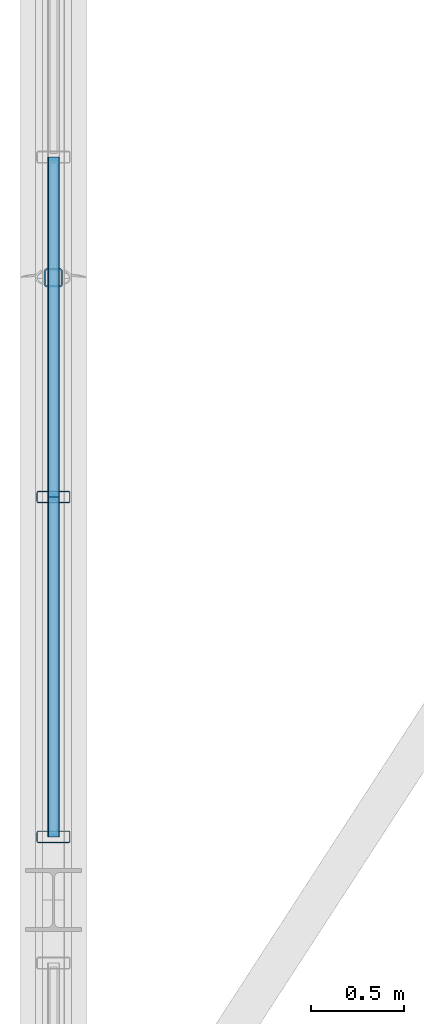
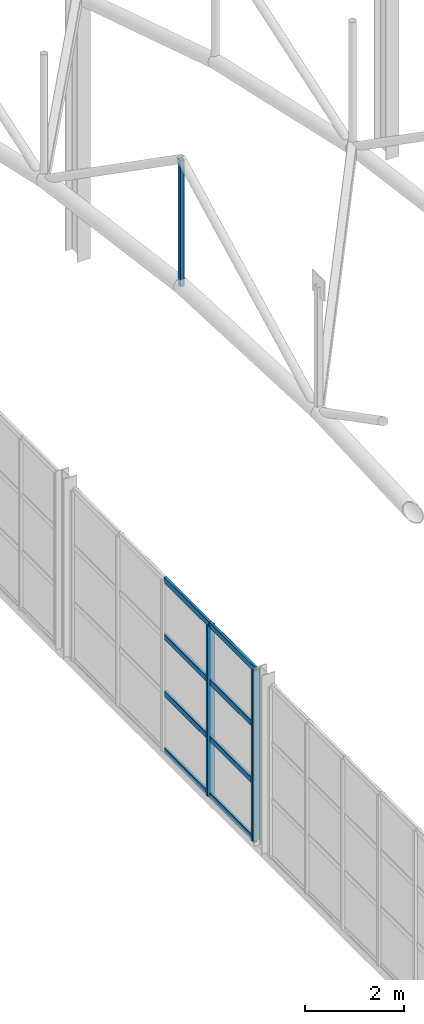
# One storey, part 35 of 153: 11 members, 1 element without a shape of its own.
"""IFC4 building model written with IfcOpenShell, lengths in metres."""

from ifc_helpers import new_model, si_unit, derived_unit, direction, frame, origin, origin_2d, place, context, subcontext, project, spatial, hollow_rectangle, extrude, material, material_profile, profile_set, type_object, element, aggregate, save


model = new_model("IFC4")

# Units and contexts
model_context = context("Model", 3, precision=1e-05, world=origin(), true_north=direction((0.0, 1.0)))
body_context = subcontext(model_context, "Body", "Model", "MODEL_VIEW")
ifc_project = project(units=[si_unit("LENGTHUNIT", "METRE"), si_unit("AREAUNIT", "SQUARE_METRE"), si_unit("VOLUMEUNIT", "CUBIC_METRE"), si_unit("PLANEANGLEUNIT", "RADIAN"), si_unit("MASSUNIT", "GRAM", prefix="KILO"), derived_unit("THERMALTRANSMITTANCEUNIT", [(si_unit("POWERUNIT", "WATT"), 1), (si_unit("LENGTHUNIT", "METRE"), -2), (si_unit("THERMODYNAMICTEMPERATUREUNIT", "KELVIN"), -1)])], contexts=[model_context])

# Site, building, storey
site_placement = place(None, origin())
site = spatial("IfcSite", under=ifc_project, at=site_placement, CompositionType="ELEMENT")
building_placement = place(site_placement, origin())
building = spatial("IfcBuilding", under=site, at=building_placement, Name="Keldorne Ridge Multi-Sports Centre", CompositionType="ELEMENT")
storey_placement = place(building_placement, frame((0.0, 0.0, 9.60009765625)))
storey = spatial("IfcBuildingStorey", under=building, at=storey_placement, Name="L02", CompositionType="ELEMENT", Elevation=9.60009765625)

# Curtain wall, members
ifc_material_1 = material(Name="Anodized aluminium", Category="aluminium")
curtain_wall_type = type_object("IfcCurtainWallType", Name="CW-CW-08", PredefinedType="NOTDEFINED", material=ifc_material_1)
curtain_wall_placement = place(storey_placement, origin())
curtain_wall = element("IfcCurtainWall", 1, at=curtain_wall_placement, inside=storey, type_object=curtain_wall_type, Name="Main Hall west high gable glazing 032", PredefinedType="NOTDEFINED")
ifc_material_profile_1 = material_profile(ifc_material_1, hollow_rectangle(XDim=0.06494140625, YDim=0.179931640625, WallThickness=0.00439453125, InnerFilletRadius=0.00439453125, OuterFilletRadius=0.009033203125, at=origin_2d()), Name="ALU MULLION 180x65x4.5")
ifc_profile_set_1 = profile_set([ifc_material_profile_1], Name="Anodized aluminium")
member_type_1 = type_object("IfcMemberType", Name="MEM-ML-01", PredefinedType="MULLION", material=ifc_profile_set_1)
member_1_placement = place(storey_placement, frame((6.0, 36.169921875, 0.0), z_axis=(0.0, 0.0, 1.0), x_axis=(0.0, 1.0, 0.0)))
member_1 = element("IfcMember", 2, at=member_1_placement, type_object=member_type_1, Name="CW-032 vertical mullion 4", PredefinedType="MULLION", context=body_context, shape_type="SweptSolid", body=[
    extrude(hollow_rectangle(XDim=0.06494140625, YDim=0.179931640625, WallThickness=0.00439453125, InnerFilletRadius=0.00439453125, OuterFilletRadius=0.009033203125, at=origin_2d()), origin(), (0.0, 0.0, 1.0), 4.199951171875),
])
member_2_placement = place(storey_placement, frame((6.0, 34.340087890625, 0.0), z_axis=(0.0, 0.0, 1.0), x_axis=(0.0, 1.0, 0.0)))
member_2 = element("IfcMember", 3, at=member_2_placement, type_object=member_type_1, Name="CW-032 vertical mullion 5", PredefinedType="MULLION", context=body_context, shape_type="SweptSolid", body=[
    extrude(hollow_rectangle(XDim=0.06494140625, YDim=0.179931640625, WallThickness=0.00439453125, InnerFilletRadius=0.00439453125, OuterFilletRadius=0.009033203125, at=origin_2d()), origin(), (0.0, 0.0, 1.0), 4.199951171875),
])
ifc_material_profile_2 = material_profile(ifc_material_1, hollow_rectangle(XDim=0.06494140625, YDim=0.139892578125, WallThickness=0.00439453125, InnerFilletRadius=0.00439453125, OuterFilletRadius=0.009033203125, at=origin_2d()), Name="ALU TRANSOM 140x65x4.5")
ifc_profile_set_2 = profile_set([ifc_material_profile_2], Name="Anodized aluminium")
member_type_2 = type_object("IfcMemberType", Name="MEM-TR-01", PredefinedType="USERDEFINED", material=ifc_profile_set_2)
member_3_placement = place(storey_placement, frame((6.0, 38.0, 0.0), z_axis=(0.0, -1.0, 0.0), x_axis=(1.0, 0.0, 0.0)))
member_3 = element("IfcMember", 4, at=member_3_placement, type_object=member_type_2, Name="CW-032 transom 3.1", ObjectType="TRANSOM", PredefinedType="USERDEFINED", context=body_context, shape_type="SweptSolid", body=[
    extrude(hollow_rectangle(XDim=0.06494140625, YDim=0.139892578125, WallThickness=0.00439453125, InnerFilletRadius=0.00439453125, OuterFilletRadius=0.009033203125, at=origin_2d()), origin(), (0.0, 0.0, 1.0), 1.830078125),
])
member_4_placement = place(storey_placement, frame((6.0, 38.0, 1.39990234375), z_axis=(0.0, -1.0, 0.0), x_axis=(1.0, 0.0, 0.0)))
member_4 = element("IfcMember", 5, at=member_4_placement, type_object=member_type_2, Name="CW-032 transom 3.2", ObjectType="TRANSOM", PredefinedType="USERDEFINED", context=body_context, shape_type="SweptSolid", body=[
    extrude(hollow_rectangle(XDim=0.06494140625, YDim=0.139892578125, WallThickness=0.00439453125, InnerFilletRadius=0.00439453125, OuterFilletRadius=0.009033203125, at=origin_2d()), origin(), (0.0, 0.0, 1.0), 1.830078125),
])
member_5_placement = place(storey_placement, frame((6.0, 38.0, 2.7998046875), z_axis=(0.0, -1.0, 0.0), x_axis=(1.0, 0.0, 0.0)))
member_5 = element("IfcMember", 6, at=member_5_placement, type_object=member_type_2, Name="CW-032 transom 3.3", ObjectType="TRANSOM", PredefinedType="USERDEFINED", context=body_context, shape_type="SweptSolid", body=[
    extrude(hollow_rectangle(XDim=0.06494140625, YDim=0.139892578125, WallThickness=0.00439453125, InnerFilletRadius=0.00439453125, OuterFilletRadius=0.009033203125, at=origin_2d()), origin(), (0.0, 0.0, 1.0), 1.830078125),
])
member_6_placement = place(storey_placement, frame((6.0, 38.0, 4.199951171875), z_axis=(0.0, -1.0, 0.0), x_axis=(1.0, 0.0, 0.0)))
member_6 = element("IfcMember", 7, at=member_6_placement, type_object=member_type_2, Name="CW-032 transom 3.4", ObjectType="TRANSOM", PredefinedType="USERDEFINED", context=body_context, shape_type="SweptSolid", body=[
    extrude(hollow_rectangle(XDim=0.06494140625, YDim=0.139892578125, WallThickness=0.00439453125, InnerFilletRadius=0.00439453125, OuterFilletRadius=0.009033203125, at=origin_2d()), origin(), (0.0, 0.0, 1.0), 1.830078125),
])
member_7_placement = place(storey_placement, frame((6.0, 36.169921875, 0.0), z_axis=(0.0, -1.0, 0.0), x_axis=(1.0, 0.0, 0.0)))
member_7 = element("IfcMember", 8, at=member_7_placement, type_object=member_type_2, Name="CW-032 transom 4.1", ObjectType="TRANSOM", PredefinedType="USERDEFINED", context=body_context, shape_type="SweptSolid", body=[
    extrude(hollow_rectangle(XDim=0.06494140625, YDim=0.139892578125, WallThickness=0.00439453125, InnerFilletRadius=0.00439453125, OuterFilletRadius=0.009033203125, at=origin_2d()), origin(), (0.0, 0.0, 1.0), 1.829833984375),
])
member_8_placement = place(storey_placement, frame((6.0, 36.169921875, 1.39990234375), z_axis=(0.0, -1.0, 0.0), x_axis=(1.0, 0.0, 0.0)))
member_8 = element("IfcMember", 9, at=member_8_placement, type_object=member_type_2, Name="CW-032 transom 4.2", ObjectType="TRANSOM", PredefinedType="USERDEFINED", context=body_context, shape_type="SweptSolid", body=[
    extrude(hollow_rectangle(XDim=0.06494140625, YDim=0.139892578125, WallThickness=0.00439453125, InnerFilletRadius=0.00439453125, OuterFilletRadius=0.009033203125, at=origin_2d()), origin(), (0.0, 0.0, 1.0), 1.829833984375),
])
member_9_placement = place(storey_placement, frame((6.0, 36.169921875, 2.7998046875), z_axis=(0.0, -1.0, 0.0), x_axis=(1.0, 0.0, 0.0)))
member_9 = element("IfcMember", 10, at=member_9_placement, type_object=member_type_2, Name="CW-032 transom 4.3", ObjectType="TRANSOM", PredefinedType="USERDEFINED", context=body_context, shape_type="SweptSolid", body=[
    extrude(hollow_rectangle(XDim=0.06494140625, YDim=0.139892578125, WallThickness=0.00439453125, InnerFilletRadius=0.00439453125, OuterFilletRadius=0.009033203125, at=origin_2d()), origin(), (0.0, 0.0, 1.0), 1.829833984375),
])
member_10_placement = place(storey_placement, frame((6.0, 36.169921875, 4.199951171875), z_axis=(0.0, -1.0, 0.0), x_axis=(1.0, 0.0, 0.0)))
member_10 = element("IfcMember", 11, at=member_10_placement, type_object=member_type_2, Name="CW-032 transom 4.4", ObjectType="TRANSOM", PredefinedType="USERDEFINED", context=body_context, shape_type="SweptSolid", body=[
    extrude(hollow_rectangle(XDim=0.06494140625, YDim=0.139892578125, WallThickness=0.00439453125, InnerFilletRadius=0.00439453125, OuterFilletRadius=0.009033203125, at=origin_2d()), origin(), (0.0, 0.0, 1.0), 1.829833984375),
])
aggregate(curtain_wall, [member_1, member_2, member_3, member_4, member_5, member_6, member_7, member_8, member_9, member_10])

# Member
ifc_material_2 = material(Name="Steel S355", Category="steel")
ifc_material_profile_3 = material_profile(ifc_material_2, hollow_rectangle(XDim=0.10009765625, YDim=0.10009765625, WallThickness=0.008056640625, InnerFilletRadius=0.008056640625, OuterFilletRadius=0.01611328125, at=origin_2d()), Name="SHS 100x100x8")
ifc_profile_set_3 = profile_set([ifc_material_profile_3], Name="Steel S355")
member_type_3 = type_object("IfcMemberType", Name="MEM-TV-05", PredefinedType="STRUT", material=ifc_profile_set_3)
member_11_placement = place(storey_placement, frame((6.0, 37.35009765625, 11.849853515625), z_axis=(0.0, 0.0, 1.0), x_axis=(1.0, 0.0, 0.0)))
element("IfcMember", 12, at=member_11_placement, inside=storey, type_object=member_type_3, Name="Main Hall ROOF TRUSS AT-01 vertical 6", PredefinedType="STRUT", context=body_context, shape_type="SweptSolid", body=[
    extrude(hollow_rectangle(XDim=0.10009765625, YDim=0.10009765625, WallThickness=0.008056640625, InnerFilletRadius=0.008056640625, OuterFilletRadius=0.01611328125, at=origin_2d()), origin(), (0.0, 0.0, 1.0), 3.1201171875),
])

save(model, "model.ifc")
